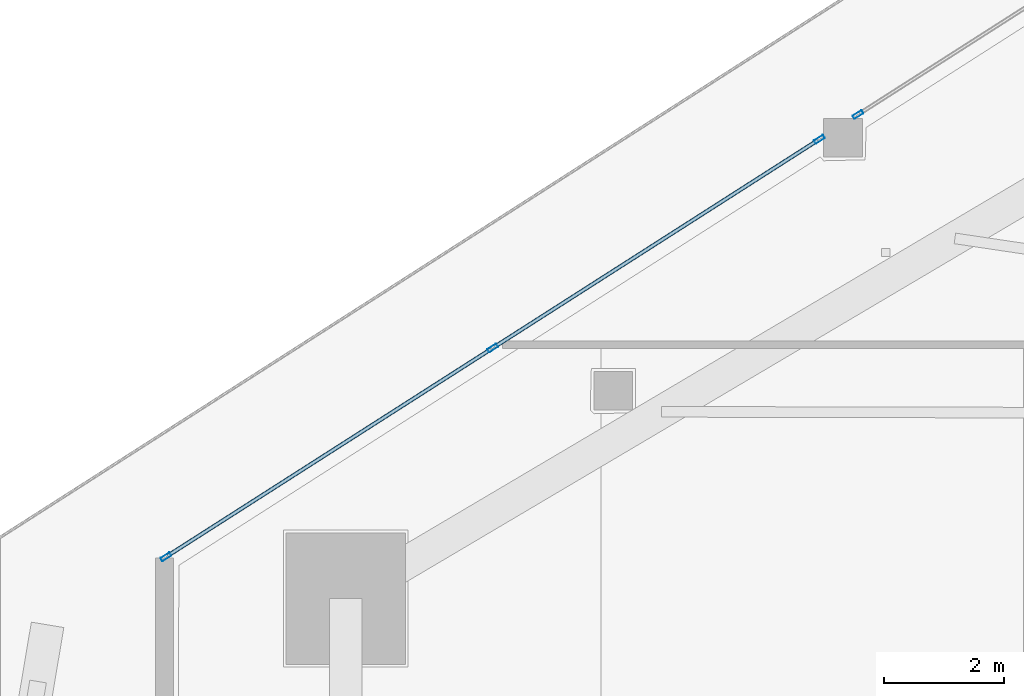
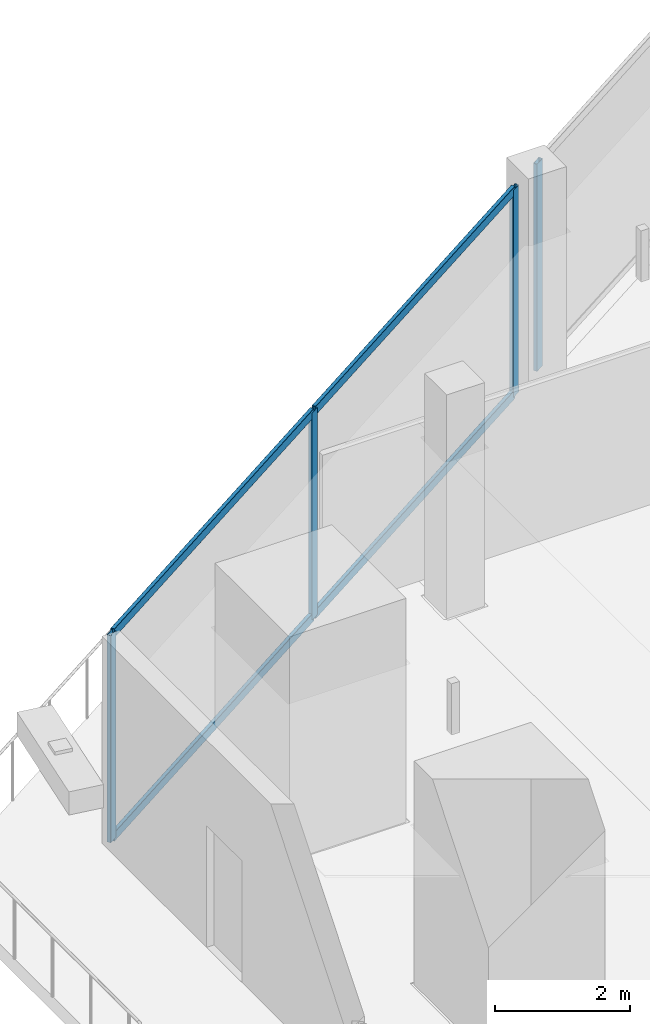
# One storey, part 13 of 36: 8 members, 2 elements without a shape of their own.
"""IFC4 building model written with IfcOpenShell, lengths in metres."""

from ifc_helpers import new_model, si_unit, direction, frame, origin, origin_2d, place, context, subcontext, project, spatial, hollow_rectangle, extrude, material, layer, layer_set, material_profile, profile_set, type_object, element, aggregate, save


model = new_model("IFC4")

# Units and contexts
model_context = context("Model", 3, precision=1e-05, world=origin(), true_north=direction((0.0, 1.0)))
body_context = subcontext(model_context, "Body", "Model", "MODEL_VIEW")
ifc_project = project(units=[si_unit("LENGTHUNIT", "METRE"), si_unit("AREAUNIT", "SQUARE_METRE"), si_unit("VOLUMEUNIT", "CUBIC_METRE"), si_unit("PLANEANGLEUNIT", "RADIAN"), si_unit("MASSUNIT", "GRAM", prefix="KILO")], contexts=[model_context])

# Site, building, storey
site_placement = place(None, origin())
site = spatial("IfcSite", under=ifc_project, at=site_placement, CompositionType="ELEMENT")
building_placement = place(site_placement, origin())
building = spatial("IfcBuilding", under=site, at=building_placement, Name="Qorvath Tower", CompositionType="ELEMENT")
storey_placement = place(building_placement, frame((0.0, 0.0, 170.550048828125)))
storey = spatial("IfcBuildingStorey", under=building, at=storey_placement, Name="L39", CompositionType="ELEMENT", Elevation=170.550048828125)

# Curtain wall, member
ifc_material_1 = material(Name="Anodised aluminium and triple low-E glass", Category="aluminium")
ifc_layer = layer(ifc_material_1, 0.179931640625)
ifc_layer_set = layer_set([ifc_layer], Name="CW-SYS-3")
curtain_wall_type = type_object("IfcCurtainWallType", Name="CW-SYS-3", PredefinedType="NOTDEFINED", material=ifc_layer_set)
curtain_wall_1_placement = place(storey_placement, origin())
curtain_wall_1 = element("IfcCurtainWall", 1, at=curtain_wall_1_placement, inside=storey, type_object=curtain_wall_type, Name="Curtain Wall CW-3 CW-T-L39-16.2", PredefinedType="NOTDEFINED")
ifc_material_2 = material(Name="Anodised aluminium 6063-T6", Category="aluminium")
ifc_material_profile_1 = material_profile(ifc_material_2, hollow_rectangle(XDim=0.06494140625, YDim=0.179931640625, WallThickness=0.00341796875, InnerFilletRadius=0.00341796875, OuterFilletRadius=0.007080078125, at=origin_2d()), Name="CWM 180x65")
ifc_profile_set_1 = profile_set([ifc_material_profile_1], Name="Anodised aluminium 6063-T6")
member_type_1 = type_object("IfcMemberType", Name="CWM-180", PredefinedType="MULLION", material=ifc_profile_set_1)
member_1_placement = place(storey_placement, frame((-44.48828125, 11.039794921875, 0.0), z_axis=(0.0, 0.0, 1.0), x_axis=(0.538537129711, -0.842601780156, 0.0)))
member_1 = element("IfcMember", 2, at=member_1_placement, type_object=member_type_1, Name="CW-3 mullion 4", PredefinedType="MULLION", context=body_context, shape_type="SweptSolid", body=[
    extrude(hollow_rectangle(XDim=0.06494140625, YDim=0.179931640625, WallThickness=0.00341796875, InnerFilletRadius=0.00341796875, OuterFilletRadius=0.007080078125, at=origin_2d()), origin(), (0.0, 0.0, 1.0), 3.75),
])
aggregate(curtain_wall_1, [member_1])

# Curtain wall, members
curtain_wall_2_placement = place(storey_placement, origin())
curtain_wall_2 = element("IfcCurtainWall", 3, at=curtain_wall_2_placement, inside=storey, type_object=curtain_wall_type, Name="Curtain Wall CW-3 CW-T-L39-16.3", PredefinedType="NOTDEFINED")
member_2_placement = place(storey_placement, frame((-45.133544921875, 10.627197265625, 0.0), z_axis=(0.0, 0.0, 1.0), x_axis=(0.538523302525, -0.842610617449, 0.0)))
member_2 = element("IfcMember", 4, at=member_2_placement, type_object=member_type_1, Name="CW-3 mullion 1", PredefinedType="MULLION", context=body_context, shape_type="SweptSolid", body=[
    extrude(hollow_rectangle(XDim=0.06494140625, YDim=0.179931640625, WallThickness=0.00341796875, InnerFilletRadius=0.00341796875, OuterFilletRadius=0.007080078125, at=origin_2d()), origin(), (0.0, 0.0, 1.0), 3.75),
])
member_3_placement = place(storey_placement, frame((-50.59375, 7.1376953125, 0.0), z_axis=(0.0, 0.0, 1.0), x_axis=(0.538523302525, -0.842610617449, 0.0)))
member_3 = element("IfcMember", 5, at=member_3_placement, type_object=member_type_1, Name="CW-3 mullion 2", PredefinedType="MULLION", context=body_context, shape_type="SweptSolid", body=[
    extrude(hollow_rectangle(XDim=0.06494140625, YDim=0.179931640625, WallThickness=0.00341796875, InnerFilletRadius=0.00341796875, OuterFilletRadius=0.007080078125, at=origin_2d()), origin(), (0.0, 0.0, 1.0), 3.75),
])
member_4_placement = place(storey_placement, frame((-56.0537109375, 3.648193359375, 0.0), z_axis=(0.0, 0.0, 1.0), x_axis=(0.538523302525, -0.842610617449, 0.0)))
member_4 = element("IfcMember", 6, at=member_4_placement, type_object=member_type_1, Name="CW-3 mullion 3", PredefinedType="MULLION", context=body_context, shape_type="SweptSolid", body=[
    extrude(hollow_rectangle(XDim=0.06494140625, YDim=0.179931640625, WallThickness=0.00341796875, InnerFilletRadius=0.00341796875, OuterFilletRadius=0.007080078125, at=origin_2d()), origin(), (0.0, 0.0, 1.0), 3.75),
])
ifc_material_3 = material(Name="Anodised aluminium 6063-T6", Category="aluminium")
ifc_material_profile_2 = material_profile(ifc_material_3, hollow_rectangle(XDim=0.06494140625, YDim=0.159912109375, WallThickness=0.00341796875, InnerFilletRadius=0.00341796875, OuterFilletRadius=0.007080078125, at=origin_2d()), Name="CWT 160x65")
ifc_profile_set_2 = profile_set([ifc_material_profile_2], Name="Anodised aluminium 6063-T6")
member_type_2 = type_object("IfcMemberType", Name="CWT-160", PredefinedType="USERDEFINED", material=ifc_profile_set_2)
member_5_placement = place(storey_placement, frame((-45.160888671875, 10.60986328125, 0.032470703125), z_axis=(-0.842609914071, -0.538524403076, 0.0), x_axis=(0.538524403076, -0.842609914071, 0.0)))
member_5 = element("IfcMember", 7, at=member_5_placement, type_object=member_type_2, Name="CW-3 transom 1.1", ObjectType="TRANSOM", PredefinedType="USERDEFINED", context=body_context, shape_type="SweptSolid", body=[
    extrude(hollow_rectangle(XDim=0.06494140625, YDim=0.159912109375, WallThickness=0.00341796875, InnerFilletRadius=0.00341796875, OuterFilletRadius=0.007080078125, at=origin_2d()), origin(), (0.0, 0.0, 1.0), 6.4150390625),
])
member_6_placement = place(storey_placement, frame((-45.160888671875, 10.60986328125, 3.717529296875), z_axis=(-0.842609914071, -0.538524403076, 0.0), x_axis=(0.538524403076, -0.842609914071, 0.0)))
member_6 = element("IfcMember", 8, at=member_6_placement, type_object=member_type_2, Name="CW-3 transom 1.2", ObjectType="TRANSOM", PredefinedType="USERDEFINED", context=body_context, shape_type="SweptSolid", body=[
    extrude(hollow_rectangle(XDim=0.06494140625, YDim=0.159912109375, WallThickness=0.00341796875, InnerFilletRadius=0.00341796875, OuterFilletRadius=0.007080078125, at=origin_2d()), origin(), (0.0, 0.0, 1.0), 6.4150390625),
])
member_7_placement = place(storey_placement, frame((-50.62109375, 7.1201171875, 0.032470703125), z_axis=(-0.842609914071, -0.538524403076, 0.0), x_axis=(0.538524403076, -0.842609914071, 0.0)))
member_7 = element("IfcMember", 9, at=member_7_placement, type_object=member_type_2, Name="CW-3 transom 2.1", ObjectType="TRANSOM", PredefinedType="USERDEFINED", context=body_context, shape_type="SweptSolid", body=[
    extrude(hollow_rectangle(XDim=0.06494140625, YDim=0.159912109375, WallThickness=0.00341796875, InnerFilletRadius=0.00341796875, OuterFilletRadius=0.007080078125, at=origin_2d()), origin(), (0.0, 0.0, 1.0), 6.4150390625),
])
member_8_placement = place(storey_placement, frame((-50.62109375, 7.1201171875, 3.717529296875), z_axis=(-0.842609914071, -0.538524403076, 0.0), x_axis=(0.538524403076, -0.842609914071, 0.0)))
member_8 = element("IfcMember", 10, at=member_8_placement, type_object=member_type_2, Name="CW-3 transom 2.2", ObjectType="TRANSOM", PredefinedType="USERDEFINED", context=body_context, shape_type="SweptSolid", body=[
    extrude(hollow_rectangle(XDim=0.06494140625, YDim=0.159912109375, WallThickness=0.00341796875, InnerFilletRadius=0.00341796875, OuterFilletRadius=0.007080078125, at=origin_2d()), origin(), (0.0, 0.0, 1.0), 6.4150390625),
])
aggregate(curtain_wall_2, [member_2, member_3, member_4, member_5, member_6, member_7, member_8])

save(model, "model.ifc")
